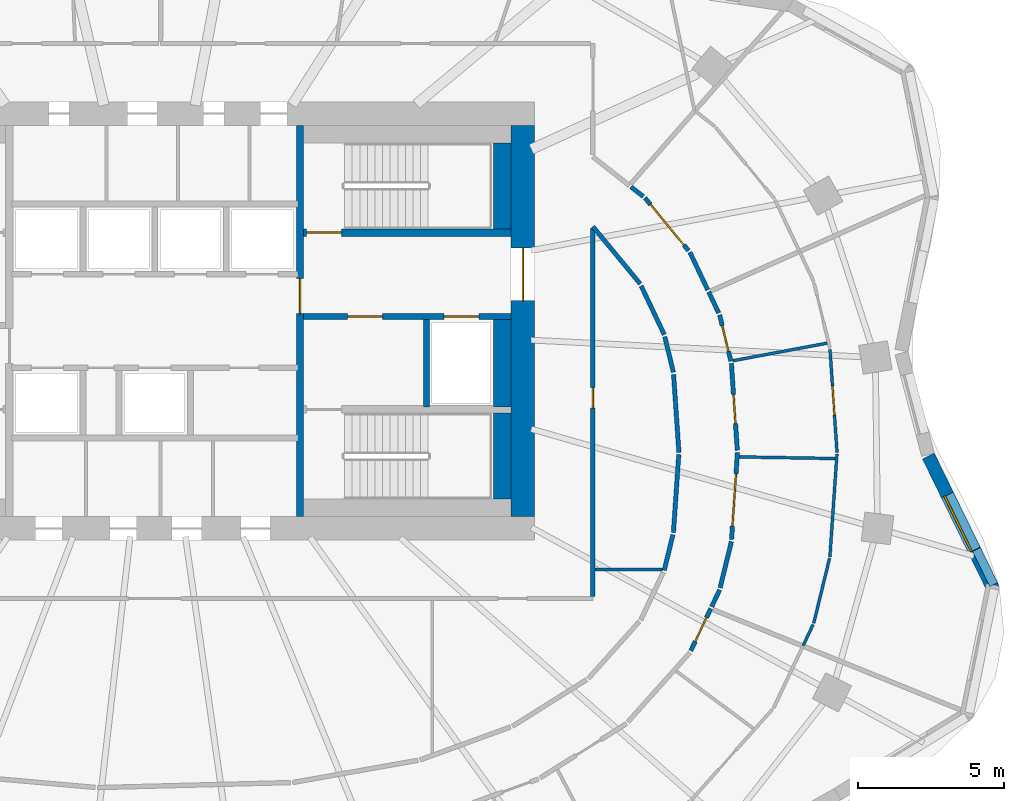
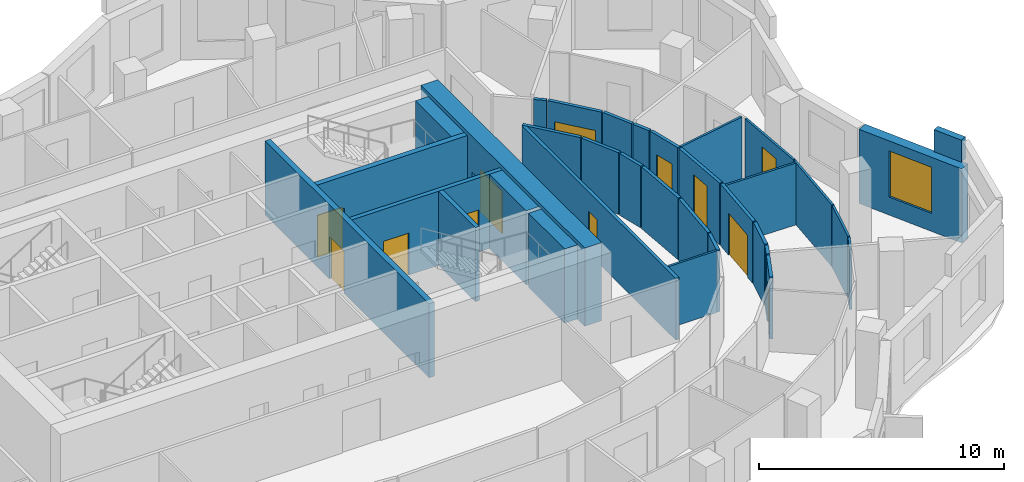
# One storey, part 7 of 11: 34 walls, 12 doors, 1 window, 13 openings.
"""IFC4 building model written with IfcOpenShell, lengths in metres."""

from ifc_helpers import new_model, si_unit, direction, frame, frame_2d, origin, place, context, subcontext, project, spatial, rectangle, extrude, material, layer, layer_set, type_object, element, fill, save


model = new_model("IFC4")

# Units and contexts
model_context = context("Model", 3, precision=1e-05, world=origin(), true_north=direction((0.0, 1.0)))
body_context = subcontext(model_context, "Body", "Model", "MODEL_VIEW")
ifc_project = project(units=[si_unit("LENGTHUNIT", "METRE"), si_unit("AREAUNIT", "SQUARE_METRE"), si_unit("VOLUMEUNIT", "CUBIC_METRE"), si_unit("PLANEANGLEUNIT", "RADIAN"), si_unit("MASSUNIT", "GRAM", prefix="KILO")], contexts=[model_context])

# Site, building, storey
site_placement = place(None, origin())
site = spatial("IfcSite", under=ifc_project, at=site_placement, CompositionType="ELEMENT")
building_placement = place(site_placement, origin())
building = spatial("IfcBuilding", under=site, at=building_placement, Name="Rubra Terraces Tower", CompositionType="ELEMENT")
storey_placement = place(building_placement, frame((0.0, 0.0, 181.800048828125)))
storey = spatial("IfcBuildingStorey", under=building, at=storey_placement, Name="L44", CompositionType="ELEMENT", Elevation=181.800048828125)

# Wall, opening, window
ifc_material_1 = material(Name="Brick masonry red-brown", Category="masonry")
ifc_layer_1 = layer(ifc_material_1, 0.449951171875)
ifc_layer_set_1 = layer_set([ifc_layer_1], Name="Brick masonry red-brown")
wall_type_1 = type_object("IfcWallType", Name="Brick facade wall 450", PredefinedType="SOLIDWALL", material=ifc_layer_set_1)
wall_1_placement = place(storey_placement, frame((28.70703125, -4.672119140625, 0.0), z_axis=(0.0, 0.0, 1.0), x_axis=(-0.439053549989, 0.898460895221, 0.0)))
wall_1 = element("IfcWall", 1, at=wall_1_placement, inside=storey, type_object=wall_type_1, Name="Facade wall L44 bay 40", PredefinedType="SOLIDWALL", context=body_context, shape_type="SweptSolid", body=[
    extrude(rectangle(XDim=5.061767578125, YDim=0.449951171875, at=frame_2d((2.53076171875, 0.0))), origin(), (0.0, 0.0, 1.0), 3.699951171875),
])
opening_1_placement = place(wall_1_placement, frame((1.48095703125, 0.0, 0.89990234375)))
opening_1 = element("IfcOpeningElement", 2, at=opening_1_placement, cuts=wall_1, Name="Opening W1B", PredefinedType="OPENING", context=body_context, shape_type="SweptSolid", body=[
    extrude(rectangle(XDim=2.10009765625, YDim=2.300048828125, at=frame_2d((1.050048828125, 1.14990234375))), frame((0.0, 0.23486328125, 0.0), z_axis=(0.0, -1.0, 0.0), x_axis=(1.0, 0.0, 0.0)), (0.0, 0.0, 1.0), 0.469970703125),
])
ifc_material_2 = material(Name="Clear glass in aluminium frame", Category="aluminium")
window_type = type_object("IfcWindowType", Name="Fixed deep-set window tall storey 2100 x 2300", PartitioningType="SINGLE_PANEL", PredefinedType="WINDOW", material=ifc_material_2)
window_placement = place(opening_1_placement, origin())
window = element("IfcWindow", 3, at=window_placement, inside=storey, type_object=window_type, Name="Window L44 bay 40", OverallHeight=2.300048828125, OverallWidth=2.10009765625, PartitioningType="SINGLE_PANEL", PredefinedType="WINDOW", context=body_context, shape_type="SweptSolid", body=[
    extrude(rectangle(XDim=2.10009765625, YDim=2.300048828125, at=frame_2d((1.050048828125, 1.14990234375))), frame((0.0, 0.135009765625, 0.0), z_axis=(0.0, -1.0, 0.0), x_axis=(1.0, 0.0, 0.0)), (0.0, 0.0, 1.0), 0.06005859375),
])
fill(opening_1, window)

# Wall
ifc_layer_2 = layer(ifc_material_1, 0.300048828125)
ifc_layer_set_2 = layer_set([ifc_layer_2], Name="Brick masonry red-brown")
wall_type_2 = type_object("IfcWallType", Name="Brick parapet 300", PredefinedType="PARAPET", material=ifc_layer_set_2)
wall_2_placement = place(storey_placement, frame((28.719482421875, -4.5263671875, 3.89990234375), z_axis=(0.0, 0.0, 1.0), x_axis=(-0.439122076977, 0.898427404697, 0.0)))
element("IfcWall", 4, at=wall_2_placement, inside=storey, type_object=wall_type_2, Name="Parapet L44 bay 40", PredefinedType="PARAPET", context=body_context, shape_type="SweptSolid", body=[
    extrude(rectangle(XDim=1.3427734375, YDim=0.300048828125, at=frame_2d((0.67138671875, 0.0))), origin(), (0.0, 0.0, 1.0), 1.10009765625),
])

# Wall, opening, door
ifc_material_3 = material(Name="Concrete C50", Category="concrete")
ifc_layer_3 = layer(ifc_material_3, 0.800048828125)
ifc_layer_set_3 = layer_set([ifc_layer_3], Name="Concrete C50")
wall_type_3 = type_object("IfcWallType", Name="CORE WALL 800 C50", PredefinedType="SHEAR", material=ifc_layer_set_3)
wall_3_placement = place(storey_placement, frame((12.60009765625, -2.199951171875, 0.0), z_axis=(0.0, 0.0, 1.0), x_axis=(0.0, 1.0, 0.0)))
wall_3 = element("IfcWall", 5, at=wall_3_placement, inside=storey, type_object=wall_type_3, Name="CORE WALL E L44", PredefinedType="SHEAR", context=body_context, shape_type="SweptSolid", body=[
    extrude(rectangle(XDim=13.39990234375, YDim=0.800048828125, at=frame_2d((6.699951171875, 0.0))), origin(), (0.0, 0.0, 1.0), 3.89990234375),
])
opening_2_placement = place(wall_3_placement, frame((7.39990234375, 0.0, 0.0)))
opening_2 = element("IfcOpeningElement", 6, at=opening_2_placement, cuts=wall_3, Name="Opening L44.C02", PredefinedType="OPENING", context=body_context, shape_type="SweptSolid", body=[
    extrude(rectangle(XDim=1.800048828125, YDim=2.10009765625, at=frame_2d((0.89990234375, 1.050048828125))), frame((0.0, 0.409912109375, 0.0), z_axis=(0.0, -1.0, 0.0), x_axis=(1.0, 0.0, 0.0)), (0.0, 0.0, 1.0), 0.820068359375),
])
ifc_material_4 = material(Name="Painted steel", Category="steel")
door_type_1 = type_object("IfcDoorType", Name="Fire door 1800x2100 double", OperationType="NOTDEFINED", PredefinedType="DOOR", material=ifc_material_4)
door_1_placement = place(opening_2_placement, origin())
door_1 = element("IfcDoor", 7, at=door_1_placement, inside=storey, type_object=door_type_1, Name="Core entrance door FF2", OperationType="DOUBLE_DOOR_SINGLE_SWING", OverallHeight=2.10009765625, OverallWidth=1.800048828125, PredefinedType="DOOR", context=body_context, shape_type="SweptSolid", body=[
    extrude(rectangle(XDim=1.800048828125, YDim=2.10009765625, at=frame_2d((0.89990234375, 1.050048828125))), frame((0.0, 0.02490234375, 0.0), z_axis=(0.0, -1.0, 0.0), x_axis=(1.0, 0.0, 0.0)), (0.0, 0.0, 1.0), 0.050048828125),
])
fill(opening_2, door_1)

ifc_material_5 = material(Name="Plasterboard on steel stud, mineral wool infill", Category="steel")
ifc_layer_4 = layer(ifc_material_5, 0.14990234375)
ifc_layer_set_4 = layer_set([ifc_layer_4], Name="Plasterboard on steel stud, mineral wool infill")
wall_type_4 = type_object("IfcWallType", Name="CORRIDOR PARTITION 150", PredefinedType="PARTITIONING", material=ifc_layer_set_4)
wall_4_placement = place(storey_placement, frame((18.35302734375, -6.78369140625, 0.0), z_axis=(0.0, 0.0, 1.0), x_axis=(0.428125964575, 0.90371907054, 0.0)))
wall_4 = element("IfcWall", 8, at=wall_4_placement, inside=storey, type_object=wall_type_4, Name="PARTITION", PredefinedType="PARTITIONING", context=body_context, shape_type="SweptSolid", body=[
    extrude(rectangle(XDim=1.58935546875, YDim=0.14990234375, at=frame_2d((0.794677734375, 0.0))), origin(), (0.0, 0.0, 1.0), 3.083984375),
])
opening_3_placement = place(wall_4_placement, frame((0.35009765625, 0.0, 0.0)))
opening_3 = element("IfcOpeningElement", 9, at=opening_3_placement, cuts=wall_4, Name="Opening 44-141", PredefinedType="OPENING", context=body_context, shape_type="SweptSolid", body=[
    extrude(rectangle(XDim=0.89990234375, YDim=2.10009765625, at=frame_2d((0.449951171875, 1.050048828125))), frame((0.0, 0.0849609375, 0.0), z_axis=(0.0, -1.0, 0.0), x_axis=(1.0, 0.0, 0.0)), (0.0, 0.0, 1.0), 0.169921875),
])
ifc_material_6 = material(Name="Painted timber door leaf", Category="wood")
door_type_2 = type_object("IfcDoorType", Name="BATHROOM DOOR 900 X 2100", OperationType="SINGLE_SWING_LEFT", PredefinedType="DOOR", material=ifc_material_6)
door_2_placement = place(opening_3_placement, origin())
door_2 = element("IfcDoor", 10, at=door_2_placement, inside=storey, type_object=door_type_2, Name="DOOR 44-141", OperationType="SINGLE_SWING_RIGHT", OverallHeight=2.10009765625, OverallWidth=0.89990234375, PredefinedType="DOOR", context=body_context, shape_type="SweptSolid", body=[
    extrude(rectangle(XDim=0.89990234375, YDim=2.10009765625, at=frame_2d((0.449951171875, 1.050048828125))), frame((0.0, 0.02490234375, 0.0), z_axis=(0.0, -1.0, 0.0), x_axis=(1.0, 0.0, 0.0)), (0.0, 0.0, 1.0), 0.050048828125),
])
fill(opening_3, door_2)

# Walls
wall_5_placement = place(storey_placement, frame((19.0654296875, -5.279541015625, 0.0), z_axis=(0.0, 0.0, 1.0), x_axis=(0.428202003813, 0.903683043954, 0.0)))
element("IfcWall", 11, at=wall_5_placement, inside=storey, type_object=wall_type_4, Name="PARTITION", PredefinedType="PARTITIONING", context=body_context, shape_type="SweptSolid", body=[
    extrude(rectangle(XDim=0.63525390625, YDim=0.14990234375, at=frame_2d((0.317626953125, 0.0))), origin(), (0.0, 0.0, 1.0), 3.083984375),
])
wall_6_placement = place(storey_placement, frame((19.355224609375, -4.6328125, 0.0), z_axis=(0.0, 0.0, 1.0), x_axis=(0.236703930685, 0.971581828359, 0.0)))
element("IfcWall", 12, at=wall_6_placement, inside=storey, type_object=wall_type_4, Name="PARTITION", PredefinedType="PARTITIONING", context=body_context, shape_type="SweptSolid", body=[
    extrude(rectangle(XDim=1.62646484375, YDim=0.14990234375, at=frame_2d((0.813232421875, 0.0))), origin(), (0.0, 0.0, 1.0), 3.083984375),
])

# Wall, opening, door
wall_7_placement = place(storey_placement, frame((19.745361328125, -2.9775390625, 0.0), z_axis=(0.0, 0.0, 1.0), x_axis=(0.068142324, 0.997675610447, 0.0)))
wall_7 = element("IfcWall", 13, at=wall_7_placement, inside=storey, type_object=wall_type_4, Name="PARTITION", PredefinedType="PARTITIONING", context=body_context, shape_type="SweptSolid", body=[
    extrude(rectangle(XDim=2.984375, YDim=0.14990234375, at=frame_2d((1.4921875, 0.0))), origin(), (0.0, 0.0, 1.0), 3.083984375),
])
opening_4_placement = place(wall_7_placement, frame((0.449951171875, 0.0, 0.0)))
opening_4 = element("IfcOpeningElement", 14, at=opening_4_placement, cuts=wall_7, Name="Opening 44-122", PredefinedType="OPENING", context=body_context, shape_type="SweptSolid", body=[
    extrude(rectangle(XDim=1.800048828125, YDim=2.10009765625, at=frame_2d((0.89990234375, 1.050048828125))), frame((0.0, 0.0849609375, 0.0), z_axis=(0.0, -1.0, 0.0), x_axis=(1.0, 0.0, 0.0)), (0.0, 0.0, 1.0), 0.169921875),
])
ifc_material_7 = material(Name="Painted timber door leaf, double", Category="wood")
door_type_3 = type_object("IfcDoorType", Name="ROOM DOUBLE DOOR 1800 X 2100", OperationType="DOUBLE_DOOR_SINGLE_SWING", PredefinedType="DOOR", material=ifc_material_7)
door_3_placement = place(opening_4_placement, origin())
door_3 = element("IfcDoor", 15, at=door_3_placement, inside=storey, type_object=door_type_3, Name="DOOR 44-122", OperationType="DOUBLE_DOOR_SINGLE_SWING", OverallHeight=2.10009765625, OverallWidth=1.800048828125, PredefinedType="DOOR", context=body_context, shape_type="SweptSolid", body=[
    extrude(rectangle(XDim=1.800048828125, YDim=2.10009765625, at=frame_2d((0.89990234375, 1.050048828125))), frame((0.0, 0.02490234375, 0.0), z_axis=(0.0, -1.0, 0.0), x_axis=(1.0, 0.0, 0.0)), (0.0, 0.0, 1.0), 0.050048828125),
])
fill(opening_4, door_3)

wall_8_placement = place(storey_placement, frame((19.943603515625, 0.07470703125, 0.0), z_axis=(0.0, 0.0, 1.0), x_axis=(-0.068136763128, 0.997675990245, 0.0)))
wall_8 = element("IfcWall", 16, at=wall_8_placement, inside=storey, type_object=wall_type_4, Name="PARTITION", PredefinedType="PARTITIONING", context=body_context, shape_type="SweptSolid", body=[
    extrude(rectangle(XDim=2.984619140625, YDim=0.14990234375, at=frame_2d((1.4921875, 0.0))), origin(), (0.0, 0.0, 1.0), 3.083984375),
])
opening_5_placement = place(wall_8_placement, frame((0.9169921875, 0.0, 0.0)))
opening_5 = element("IfcOpeningElement", 17, at=opening_5_placement, cuts=wall_8, Name="Opening 44-123", PredefinedType="OPENING", context=body_context, shape_type="SweptSolid", body=[
    extrude(rectangle(XDim=1.0, YDim=2.39990234375, at=frame_2d((0.5, 1.199951171875))), frame((0.0, 0.0849609375, 0.0), z_axis=(0.0, -1.0, 0.0), x_axis=(1.0, 0.0, 0.0)), (0.0, 0.0, 1.0), 0.169921875),
])
ifc_material_8 = material(Name="Glazed aluminium meeting door leaf", Category="aluminium")
door_type_4 = type_object("IfcDoorType", Name="MEETING ROOM GLAZED DOOR 1000 X 2400", OperationType="SINGLE_SWING_LEFT", PredefinedType="DOOR", material=ifc_material_8)
door_4_placement = place(opening_5_placement, origin())
door_4 = element("IfcDoor", 18, at=door_4_placement, inside=storey, type_object=door_type_4, Name="DOOR 44-123", OperationType="SINGLE_SWING_RIGHT", OverallHeight=2.39990234375, OverallWidth=1.0, PredefinedType="DOOR", context=body_context, shape_type="SweptSolid", body=[
    extrude(rectangle(XDim=1.0, YDim=2.39990234375, at=frame_2d((0.5, 1.199951171875))), frame((0.0, 0.02490234375, 0.0), z_axis=(0.0, -1.0, 0.0), x_axis=(1.0, 0.0, 0.0)), (0.0, 0.0, 1.0), 0.050048828125),
])
fill(opening_5, door_4)

wall_9_placement = place(storey_placement, frame((19.722412109375, 3.125244140625, 0.0), z_axis=(0.0, 0.0, 1.0), x_axis=(-0.236703930685, 0.971581828359, 0.0)))
wall_9 = element("IfcWall", 19, at=wall_9_placement, inside=storey, type_object=wall_type_4, Name="PARTITION", PredefinedType="PARTITIONING", context=body_context, shape_type="SweptSolid", body=[
    extrude(rectangle(XDim=1.62646484375, YDim=0.14990234375, at=frame_2d((0.813232421875, 0.0))), origin(), (0.0, 0.0, 1.0), 3.083984375),
])
opening_6_placement = place(wall_9_placement, frame((0.35009765625, 0.0, 0.0)))
opening_6 = element("IfcOpeningElement", 20, at=opening_6_placement, cuts=wall_9, Name="Opening 44-143", PredefinedType="OPENING", context=body_context, shape_type="SweptSolid", body=[
    extrude(rectangle(XDim=0.89990234375, YDim=2.10009765625, at=frame_2d((0.449951171875, 1.050048828125))), frame((0.0, 0.0849609375, 0.0), z_axis=(0.0, -1.0, 0.0), x_axis=(1.0, 0.0, 0.0)), (0.0, 0.0, 1.0), 0.169921875),
])
door_5_placement = place(opening_6_placement, origin())
door_5 = element("IfcDoor", 21, at=door_5_placement, inside=storey, type_object=door_type_2, Name="DOOR 44-143", OperationType="SINGLE_SWING_RIGHT", OverallHeight=2.10009765625, OverallWidth=0.89990234375, PredefinedType="DOOR", context=body_context, shape_type="SweptSolid", body=[
    extrude(rectangle(XDim=0.89990234375, YDim=2.10009765625, at=frame_2d((0.449951171875, 1.050048828125))), frame((0.0, 0.02490234375, 0.0), z_axis=(0.0, -1.0, 0.0), x_axis=(1.0, 0.0, 0.0)), (0.0, 0.0, 1.0), 0.050048828125),
])
fill(opening_6, door_5)

# Walls
wall_10_placement = place(storey_placement, frame((19.305419921875, 4.7734375, 0.0), z_axis=(0.0, 0.0, 1.0), x_axis=(-0.428296443676, 0.90363828844, 0.0)))
element("IfcWall", 22, at=wall_10_placement, inside=storey, type_object=wall_type_4, Name="PARTITION", PredefinedType="PARTITIONING", context=body_context, shape_type="SweptSolid", body=[
    extrude(rectangle(XDim=0.799072265625, YDim=0.14990234375, at=frame_2d((0.3994140625, 0.0))), origin(), (0.0, 0.0, 1.0), 3.083984375),
])
wall_11_placement = place(storey_placement, frame((18.93115234375, 5.5634765625, 0.0), z_axis=(0.0, 0.0, 1.0), x_axis=(-0.428204145682, 0.903682029046, 0.0)))
element("IfcWall", 23, at=wall_11_placement, inside=storey, type_object=wall_type_4, Name="PARTITION", PredefinedType="PARTITIONING", context=body_context, shape_type="SweptSolid", body=[
    extrude(rectangle(XDim=1.42529296875, YDim=0.14990234375, at=frame_2d((0.712646484375, 0.0))), origin(), (0.0, 0.0, 1.0), 3.083984375),
])

# Wall, opening, door
wall_12_placement = place(storey_placement, frame((18.273193359375, 6.9091796875, 0.0), z_axis=(0.0, 0.0, 1.0), x_axis=(-0.63653648943, 0.771246586783, 0.0)))
wall_12 = element("IfcWall", 24, at=wall_12_placement, inside=storey, type_object=wall_type_4, Name="PARTITION", PredefinedType="PARTITIONING", context=body_context, shape_type="SweptSolid", body=[
    extrude(rectangle(XDim=2.341552734375, YDim=0.14990234375, at=frame_2d((1.1708984375, 0.0))), origin(), (0.0, 0.0, 1.0), 3.083984375),
])
opening_7_placement = place(wall_12_placement, frame((0.25, 0.0, 0.0)))
opening_7 = element("IfcOpeningElement", 25, at=opening_7_placement, cuts=wall_12, Name="Opening 44-125", PredefinedType="OPENING", context=body_context, shape_type="SweptSolid", body=[
    extrude(rectangle(XDim=1.800048828125, YDim=2.10009765625, at=frame_2d((0.89990234375, 1.050048828125))), frame((0.0, 0.0849609375, 0.0), z_axis=(0.0, -1.0, 0.0), x_axis=(1.0, 0.0, 0.0)), (0.0, 0.0, 1.0), 0.169921875),
])
door_6_placement = place(opening_7_placement, origin())
door_6 = element("IfcDoor", 26, at=door_6_placement, inside=storey, type_object=door_type_3, Name="DOOR 44-125", OperationType="DOUBLE_DOOR_SINGLE_SWING", OverallHeight=2.10009765625, OverallWidth=1.800048828125, PredefinedType="DOOR", context=body_context, shape_type="SweptSolid", body=[
    extrude(rectangle(XDim=1.800048828125, YDim=2.10009765625, at=frame_2d((0.89990234375, 1.050048828125))), frame((0.0, 0.02490234375, 0.0), z_axis=(0.0, -1.0, 0.0), x_axis=(1.0, 0.0, 0.0)), (0.0, 0.0, 1.0), 0.050048828125),
])
fill(opening_7, door_6)

# Walls
wall_13_placement = place(storey_placement, frame((16.723876953125, 8.761474609375, 0.0), z_axis=(0.0, 0.0, 1.0), x_axis=(-0.785093642841, 0.619377083827, 0.0)))
element("IfcWall", 27, at=wall_13_placement, inside=storey, type_object=wall_type_4, Name="PARTITION", PredefinedType="PARTITIONING", context=body_context, shape_type="SweptSolid", body=[
    extrude(rectangle(XDim=0.533203125, YDim=0.14990234375, at=frame_2d((0.2666015625, 0.0))), origin(), (0.0, 0.0, 1.0), 3.083984375),
])
wall_14_placement = place(storey_placement, frame((15.0, 7.73291015625, 0.0), z_axis=(0.0, 0.0, 1.0), x_axis=(0.636601263488, -0.771193121938, 0.0)))
element("IfcWall", 28, at=wall_14_placement, inside=storey, type_object=wall_type_4, Name="PARTITION", PredefinedType="PARTITIONING", context=body_context, shape_type="SweptSolid", body=[
    extrude(rectangle(XDim=2.544921875, YDim=0.14990234375, at=frame_2d((1.2724609375, 0.0))), origin(), (0.0, 0.0, 1.0), 3.083984375),
])
wall_15_placement = place(storey_placement, frame((16.652099609375, 5.702392578125, 0.0), z_axis=(0.0, 0.0, 1.0), x_axis=(0.428126129773, -0.903718992279, 0.0)))
element("IfcWall", 29, at=wall_15_placement, inside=storey, type_object=wall_type_4, Name="PARTITION", PredefinedType="PARTITIONING", context=body_context, shape_type="SweptSolid", body=[
    extrude(rectangle(XDim=1.846435546875, YDim=0.14990234375, at=frame_2d((0.92333984375, 0.0))), origin(), (0.0, 0.0, 1.0), 3.083984375),
])
wall_16_placement = place(storey_placement, frame((17.46044921875, 3.9609375, 0.0), z_axis=(0.0, 0.0, 1.0), x_axis=(0.236655249498, -0.971593687137, 0.0)))
element("IfcWall", 30, at=wall_16_placement, inside=storey, type_object=wall_type_4, Name="PARTITION", PredefinedType="PARTITIONING", context=body_context, shape_type="SweptSolid", body=[
    extrude(rectangle(XDim=1.25146484375, YDim=0.14990234375, at=frame_2d((0.625732421875, 0.0))), origin(), (0.0, 0.0, 1.0), 3.083984375),
])
wall_17_placement = place(storey_placement, frame((17.76171875, 2.67041015625, 0.0), z_axis=(0.0, 0.0, 1.0), x_axis=(0.068135311644, -0.997676089373, 0.0)))
element("IfcWall", 31, at=wall_17_placement, inside=storey, type_object=wall_type_4, Name="PARTITION", PredefinedType="PARTITIONING", context=body_context, shape_type="SweptSolid", body=[
    extrude(rectangle(XDim=2.676513671875, YDim=0.14990234375, at=frame_2d((1.33837890625, 0.0))), origin(), (0.0, 0.0, 1.0), 3.083984375),
])
wall_18_placement = place(storey_placement, frame((17.939208984375, -0.07470703125, 0.0), z_axis=(0.0, 0.0, 1.0), x_axis=(-0.068226099283, -0.99766988497, 0.0)))
element("IfcWall", 32, at=wall_18_placement, inside=storey, type_object=wall_type_4, Name="PARTITION", PredefinedType="PARTITIONING", context=body_context, shape_type="SweptSolid", body=[
    extrude(rectangle(XDim=2.6767578125, YDim=0.14990234375, at=frame_2d((1.33837890625, 0.0))), origin(), (0.0, 0.0, 1.0), 3.083984375),
])
wall_19_placement = place(storey_placement, frame((17.739013671875, -2.818115234375, 0.0), z_axis=(0.0, 0.0, 1.0), x_axis=(-0.236884307907, -0.971537865792, 0.0)))
element("IfcWall", 33, at=wall_19_placement, inside=storey, type_object=wall_type_4, Name="PARTITION", PredefinedType="PARTITIONING", context=body_context, shape_type="SweptSolid", body=[
    extrude(rectangle(XDim=1.251220703125, YDim=0.14990234375, at=frame_2d((0.62548828125, 0.0))), origin(), (0.0, 0.0, 1.0), 3.083984375),
])

# Wall, opening, door
wall_20_placement = place(storey_placement, frame((15.0, -4.925048828125, 0.0), z_axis=(0.0, 0.0, 1.0), x_axis=(0.0, 1.0, 0.0)))
wall_20 = element("IfcWall", 34, at=wall_20_placement, inside=storey, type_object=wall_type_4, Name="PARTITION", PredefinedType="PARTITIONING", context=body_context, shape_type="SweptSolid", body=[
    extrude(rectangle(XDim=12.5830078125, YDim=0.14990234375, at=frame_2d((6.29150390625, 0.0))), origin(), (0.0, 0.0, 1.0), 3.083984375),
])
opening_8_placement = place(wall_20_placement, frame((6.44091796875, 0.0, 0.0)))
opening_8 = element("IfcOpeningElement", 35, at=opening_8_placement, cuts=wall_20, Name="Opening 44-131", PredefinedType="OPENING", context=body_context, shape_type="SweptSolid", body=[
    extrude(rectangle(XDim=0.699951171875, YDim=2.10009765625, at=frame_2d((0.35009765625, 1.050048828125))), frame((0.0, 0.0849609375, 0.0), z_axis=(0.0, -1.0, 0.0), x_axis=(1.0, 0.0, 0.0)), (0.0, 0.0, 1.0), 0.169921875),
])
door_type_5 = type_object("IfcDoorType", Name="STORE DOOR 700 X 2100", OperationType="SINGLE_SWING_LEFT", PredefinedType="DOOR", material=ifc_material_6)
door_7_placement = place(opening_8_placement, origin())
door_7 = element("IfcDoor", 36, at=door_7_placement, inside=storey, type_object=door_type_5, Name="DOOR 44-131", OperationType="SINGLE_SWING_RIGHT", OverallHeight=2.10009765625, OverallWidth=0.699951171875, PredefinedType="DOOR", context=body_context, shape_type="SweptSolid", body=[
    extrude(rectangle(XDim=0.699951171875, YDim=2.10009765625, at=frame_2d((0.35009765625, 1.050048828125))), frame((0.0, 0.02490234375, 0.0), z_axis=(0.0, -1.0, 0.0), x_axis=(1.0, 0.0, 0.0)), (0.0, 0.0, 1.0), 0.050048828125),
])
fill(opening_8, door_7)

# Walls
ifc_material_9 = material(Name="Concrete C40", Category="concrete")
ifc_layer_5 = layer(ifc_material_9, 0.60009765625)
ifc_layer_set_5 = layer_set([ifc_layer_5], Name="Concrete C40")
wall_type_5 = type_object("IfcWallType", Name="Core lining wall 600 concrete", PredefinedType="SOLIDWALL", material=ifc_layer_set_5)
wall_21_placement = place(storey_placement, frame((11.89990234375, 10.60009765625, 0.0), z_axis=(0.0, 0.0, 1.0), x_axis=(0.0, -1.0, 0.0)))
element("IfcWall", 37, at=wall_21_placement, inside=storey, type_object=wall_type_5, Name="CORE LINING WALL L44", PredefinedType="SOLIDWALL", context=body_context, shape_type="SweptSolid", body=[
    extrude(rectangle(XDim=2.9501953125, YDim=0.60009765625, at=frame_2d((1.47509765625, 0.0))), origin(), (0.0, 0.0, 1.0), 3.699951171875),
])
wall_22_placement = place(storey_placement, frame((11.89990234375, 4.550048828125, 0.0), z_axis=(0.0, 0.0, 1.0), x_axis=(0.0, -1.0, 0.0)))
element("IfcWall", 38, at=wall_22_placement, inside=storey, type_object=wall_type_5, Name="CORE LINING WALL L44", PredefinedType="SOLIDWALL", context=body_context, shape_type="SweptSolid", body=[
    extrude(rectangle(XDim=3.0, YDim=0.60009765625, at=frame_2d((1.5, 0.0))), origin(), (0.0, 0.0, 1.0), 3.699951171875),
])
wall_23_placement = place(storey_placement, frame((11.89990234375, 1.35009765625, 0.0), z_axis=(0.0, 0.0, 1.0), x_axis=(0.0, -1.0, 0.0)))
element("IfcWall", 39, at=wall_23_placement, inside=storey, type_object=wall_type_5, Name="CORE LINING WALL L44", PredefinedType="SOLIDWALL", context=body_context, shape_type="SweptSolid", body=[
    extrude(rectangle(XDim=2.9501953125, YDim=0.60009765625, at=frame_2d((1.47509765625, 0.0))), origin(), (0.0, 0.0, 1.0), 3.699951171875),
])

# Wall, openings, doors
ifc_material_10 = material(Name="Concrete C30", Category="concrete")
ifc_layer_6 = layer(ifc_material_10, 0.199951171875)
ifc_layer_set_6 = layer_set([ifc_layer_6], Name="Concrete C30")
wall_type_6 = type_object("IfcWallType", Name="Core wall 200 concrete", PredefinedType="SOLIDWALL", material=ifc_layer_set_6)
wall_24_placement = place(storey_placement, frame((12.199951171875, 4.64990234375, 0.0), z_axis=(0.0, 0.0, 1.0), x_axis=(-1.0, 0.0, 0.0)))
wall_24 = element("IfcWall", 40, at=wall_24_placement, inside=storey, type_object=wall_type_6, Name="STAIR WALL L44", PredefinedType="SOLIDWALL", context=body_context, shape_type="SweptSolid", body=[
    extrude(rectangle(XDim=7.099853515625, YDim=0.199951171875, at=frame_2d((3.5498046875, 0.0))), origin(), (0.0, 0.0, 1.0), 3.699951171875),
])
opening_9_placement = place(wall_24_placement, frame((4.39990234375, 0.0, 0.0)))
opening_9 = element("IfcOpeningElement", 41, at=opening_9_placement, cuts=wall_24, Name="Opening L44.C06", PredefinedType="OPENING", context=body_context, shape_type="SweptSolid", body=[
    extrude(rectangle(XDim=1.199951171875, YDim=2.10009765625, at=frame_2d((0.60009765625, 1.050048828125))), frame((0.0, 0.10986328125, 0.0), z_axis=(0.0, -1.0, 0.0), x_axis=(1.0, 0.0, 0.0)), (0.0, 0.0, 1.0), 0.219970703125),
])
opening_10_placement = place(wall_24_placement, frame((1.10009765625, 0.0, 0.0)))
opening_10 = element("IfcOpeningElement", 42, at=opening_10_placement, cuts=wall_24, Name="Opening L44.C12", PredefinedType="OPENING", context=body_context, shape_type="SweptSolid", body=[
    extrude(rectangle(XDim=1.199951171875, YDim=2.10009765625, at=frame_2d((0.60009765625, 1.050048828125))), frame((0.0, 0.10986328125, 0.0), z_axis=(0.0, -1.0, 0.0), x_axis=(1.0, 0.0, 0.0)), (0.0, 0.0, 1.0), 0.219970703125),
])
door_type_6 = type_object("IfcDoorType", Name="Fire door 1200x2100 single", OperationType="NOTDEFINED", PredefinedType="DOOR", material=ifc_material_4)
door_8_placement = place(opening_9_placement, origin())
door_8 = element("IfcDoor", 43, at=door_8_placement, inside=storey, type_object=door_type_6, Name="Stair vestibule door S4", OperationType="SINGLE_SWING_RIGHT", OverallHeight=2.10009765625, OverallWidth=1.199951171875, PredefinedType="DOOR", context=body_context, shape_type="SweptSolid", body=[
    extrude(rectangle(XDim=1.199951171875, YDim=2.10009765625, at=frame_2d((0.60009765625, 1.050048828125))), frame((0.0, 0.02490234375, 0.0), z_axis=(0.0, -1.0, 0.0), x_axis=(1.0, 0.0, 0.0)), (0.0, 0.0, 1.0), 0.050048828125),
])
fill(opening_9, door_8)
ifc_material_11 = material(Name="Stainless steel", Category="steel")
door_type_7 = type_object("IfcDoorType", Name="Lift landing door 1200x2100", OperationType="NOTDEFINED", PredefinedType="DOOR", material=ifc_material_11)
door_9_placement = place(opening_10_placement, origin())
door_9 = element("IfcDoor", 44, at=door_9_placement, inside=storey, type_object=door_type_7, Name="Landing door FF2", OperationType="SLIDING_TO_RIGHT", OverallHeight=2.10009765625, OverallWidth=1.199951171875, PredefinedType="DOOR", context=body_context, shape_type="SweptSolid", body=[
    extrude(rectangle(XDim=1.199951171875, YDim=2.10009765625, at=frame_2d((0.60009765625, 1.050048828125))), frame((0.0, 0.02490234375, 0.0), z_axis=(0.0, -1.0, 0.0), x_axis=(1.0, 0.0, 0.0)), (0.0, 0.0, 1.0), 0.050048828125),
])
fill(opening_10, door_9)

# Wall
wall_25_placement = place(storey_placement, frame((9.300048828125, 4.550048828125, 0.0), z_axis=(0.0, 0.0, 1.0), x_axis=(0.0, -1.0, 0.0)))
element("IfcWall", 45, at=wall_25_placement, inside=storey, type_object=wall_type_6, Name="STAIR WALL L44", PredefinedType="SOLIDWALL", context=body_context, shape_type="SweptSolid", body=[
    extrude(rectangle(XDim=3.0, YDim=0.199951171875, at=frame_2d((1.5, 0.0))), origin(), (0.0, 0.0, 1.0), 3.699951171875),
])

# Wall, opening, door
ifc_material_12 = material(Name="Plasterboard on steel stud", Category="steel")
ifc_layer_7 = layer(ifc_material_12, 0.10009765625)
ifc_layer_set_7 = layer_set([ifc_layer_7], Name="Plasterboard on steel stud")
wall_type_7 = type_object("IfcWallType", Name="ROOM PARTITION 100", PredefinedType="PARTITIONING", material=ifc_layer_set_7)
wall_26_placement = place(storey_placement, frame((23.115966796875, 3.524658203125, 0.0), z_axis=(0.0, 0.0, 1.0), x_axis=(0.068138009452, -0.997675905125, 0.0)))
wall_26 = element("IfcWall", 46, at=wall_26_placement, inside=storey, type_object=wall_type_7, Name="PARTITION", PredefinedType="PARTITIONING", context=body_context, shape_type="SweptSolid", body=[
    extrude(rectangle(XDim=3.532958984375, YDim=0.10009765625, at=frame_2d((1.7666015625, 0.0))), origin(), (0.0, 0.0, 1.0), 3.083984375),
])
opening_11_placement = place(wall_26_placement, frame((1.25, 0.0, 0.0)))
opening_11 = element("IfcOpeningElement", 47, at=opening_11_placement, cuts=wall_26, Name="Opening 44-142", PredefinedType="OPENING", context=body_context, shape_type="SweptSolid", body=[
    extrude(rectangle(XDim=1.0, YDim=2.39990234375, at=frame_2d((0.5, 1.199951171875))), frame((0.0, 0.06005859375, 0.0), z_axis=(0.0, -1.0, 0.0), x_axis=(1.0, 0.0, 0.0)), (0.0, 0.0, 1.0), 0.1201171875),
])
door_10_placement = place(opening_11_placement, origin())
door_10 = element("IfcDoor", 48, at=door_10_placement, inside=storey, type_object=door_type_4, Name="DOOR 44-142", OperationType="SINGLE_SWING_LEFT", OverallHeight=2.39990234375, OverallWidth=1.0, PredefinedType="DOOR", context=body_context, shape_type="SweptSolid", body=[
    extrude(rectangle(XDim=1.0, YDim=2.39990234375, at=frame_2d((0.5, 1.199951171875))), frame((0.0, 0.02490234375, 0.0), z_axis=(0.0, -1.0, 0.0), x_axis=(1.0, 0.0, 0.0)), (0.0, 0.0, 1.0), 0.050048828125),
])
fill(opening_11, door_10)

# Walls
wall_27_placement = place(storey_placement, frame((23.353515625, -0.0498046875, 0.0), z_axis=(0.0, 0.0, 1.0), x_axis=(-0.06820679361, -0.99767120501, 0.0)))
element("IfcWall", 49, at=wall_27_placement, inside=storey, type_object=wall_type_7, Name="PARTITION", PredefinedType="PARTITIONING", context=body_context, shape_type="SweptSolid", body=[
    extrude(rectangle(XDim=3.532958984375, YDim=0.10009765625, at=frame_2d((1.7666015625, 0.0))), origin(), (0.0, 0.0, 1.0), 3.083984375),
])
wall_28_placement = place(storey_placement, frame((23.100830078125, -3.623046875, 0.0), z_axis=(0.0, 0.0, 1.0), x_axis=(-0.236811358433, -0.971555649727, 0.0)))
element("IfcWall", 50, at=wall_28_placement, inside=storey, type_object=wall_type_7, Name="PARTITION", PredefinedType="PARTITIONING", context=body_context, shape_type="SweptSolid", body=[
    extrude(rectangle(XDim=2.289794921875, YDim=0.10009765625, at=frame_2d((1.14501953125, 0.0))), origin(), (0.0, 0.0, 1.0), 3.083984375),
])
wall_29_placement = place(storey_placement, frame((22.537109375, -5.892822265625, 0.0), z_axis=(0.0, 0.0, 1.0), x_axis=(-0.427993557618, -0.903781784856, 0.0)))
element("IfcWall", 51, at=wall_29_placement, inside=storey, type_object=wall_type_7, Name="PARTITION", PredefinedType="PARTITIONING", context=body_context, shape_type="SweptSolid", body=[
    extrude(rectangle(XDim=0.791748046875, YDim=0.10009765625, at=frame_2d((0.39599609375, 0.0))), origin(), (0.0, 0.0, 1.0), 3.083984375),
])
wall_30_placement = place(storey_placement, frame((20.013427734375, -0.15283203125, 0.0), z_axis=(0.0, 0.0, 1.0), x_axis=(0.999854678593, -0.017047630214, 0.0)))
element("IfcWall", 52, at=wall_30_placement, inside=storey, type_object=wall_type_7, Name="PARTITION", PredefinedType="PARTITIONING", context=body_context, shape_type="SweptSolid", body=[
    extrude(rectangle(XDim=3.279541015625, YDim=0.10009765625, at=frame_2d((1.6396484375, 0.0))), origin(), (0.0, 0.0, 1.0), 3.083984375),
])
wall_31_placement = place(storey_placement, frame((19.796142578125, 3.139892578125, 0.0), z_axis=(0.0, 0.0, 1.0), x_axis=(0.983010938824, 0.183546980778, 0.0)))
element("IfcWall", 53, at=wall_31_placement, inside=storey, type_object=wall_type_7, Name="PARTITION", PredefinedType="PARTITIONING", context=body_context, shape_type="SweptSolid", body=[
    extrude(rectangle(XDim=3.280029296875, YDim=0.10009765625, at=frame_2d((1.64013671875, 0.0))), origin(), (0.0, 0.0, 1.0), 3.083984375),
])
wall_32_placement = place(storey_placement, frame((15.074951171875, -4.0, 0.0), z_axis=(0.0, 0.0, 1.0), x_axis=(1.0, 0.0, 0.0)))
element("IfcWall", 54, at=wall_32_placement, inside=storey, type_object=wall_type_7, Name="PARTITION", PredefinedType="PARTITIONING", context=body_context, shape_type="SweptSolid", body=[
    extrude(rectangle(XDim=2.30078125, YDim=0.10009765625, at=frame_2d((1.150390625, 0.0))), origin(), (0.0, 0.0, 1.0), 3.083984375),
])

# Wall, opening, door
ifc_layer_8 = layer(ifc_material_9, 0.25)
ifc_layer_set_8 = layer_set([ifc_layer_8], Name="Concrete C40")
wall_type_8 = type_object("IfcWallType", Name="Stair enclosure wall 250 concrete", PredefinedType="SOLIDWALL", material=ifc_layer_set_8)
wall_33_placement = place(storey_placement, frame((12.199951171875, 7.52490234375, 0.0), z_axis=(0.0, 0.0, 1.0), x_axis=(-1.0, 0.0, 0.0)))
wall_33 = element("IfcWall", 55, at=wall_33_placement, inside=storey, type_object=wall_type_8, Name="STAIR WALL L44", PredefinedType="SOLIDWALL", context=body_context, shape_type="SweptSolid", body=[
    extrude(rectangle(XDim=7.099853515625, YDim=0.25, at=frame_2d((3.5498046875, 0.0))), origin(), (0.0, 0.0, 1.0), 3.699951171875),
])
opening_12_placement = place(wall_33_placement, frame((5.800048828125, 0.0, 0.0)))
opening_12 = element("IfcOpeningElement", 56, at=opening_12_placement, cuts=wall_33, Name="Opening L44.C08", PredefinedType="OPENING", context=body_context, shape_type="SweptSolid", body=[
    extrude(rectangle(XDim=1.199951171875, YDim=2.10009765625, at=frame_2d((0.60009765625, 1.050048828125))), frame((0.0, 0.135009765625, 0.0), z_axis=(0.0, -1.0, 0.0), x_axis=(1.0, 0.0, 0.0)), (0.0, 0.0, 1.0), 0.27001953125),
])
door_11_placement = place(opening_12_placement, origin())
door_11 = element("IfcDoor", 57, at=door_11_placement, inside=storey, type_object=door_type_6, Name="Stair door S3", OperationType="SINGLE_SWING_RIGHT", OverallHeight=2.10009765625, OverallWidth=1.199951171875, PredefinedType="DOOR", context=body_context, shape_type="SweptSolid", body=[
    extrude(rectangle(XDim=1.199951171875, YDim=2.10009765625, at=frame_2d((0.60009765625, 1.050048828125))), frame((0.0, 0.02490234375, 0.0), z_axis=(0.0, -1.0, 0.0), x_axis=(1.0, 0.0, 0.0)), (0.0, 0.0, 1.0), 0.050048828125),
])
fill(opening_12, door_11)

wall_34_placement = place(storey_placement, frame((4.97509765625, 11.199951171875, 0.0), z_axis=(0.0, 0.0, 1.0), x_axis=(0.0, -1.0, 0.0)))
wall_34 = element("IfcWall", 58, at=wall_34_placement, inside=storey, type_object=wall_type_8, Name="CORE LOBBY WALL L44", PredefinedType="SOLIDWALL", context=body_context, shape_type="SweptSolid", body=[
    extrude(rectangle(XDim=13.39990234375, YDim=0.25, at=frame_2d((6.699951171875, 0.0))), origin(), (0.0, 0.0, 1.0), 3.699951171875),
])
opening_13_placement = place(wall_34_placement, frame((5.25, 0.0, 0.0)))
opening_13 = element("IfcOpeningElement", 59, at=opening_13_placement, cuts=wall_34, Name="Opening L44.C04", PredefinedType="OPENING", context=body_context, shape_type="SweptSolid", body=[
    extrude(rectangle(XDim=1.199951171875, YDim=2.10009765625, at=frame_2d((0.60009765625, 1.050048828125))), frame((0.0, 0.135009765625, 0.0), z_axis=(0.0, -1.0, 0.0), x_axis=(1.0, 0.0, 0.0)), (0.0, 0.0, 1.0), 0.27001953125),
])
door_12_placement = place(opening_13_placement, origin())
door_12 = element("IfcDoor", 60, at=door_12_placement, inside=storey, type_object=door_type_6, Name="Firefighting lobby door FF2", OperationType="SINGLE_SWING_RIGHT", OverallHeight=2.10009765625, OverallWidth=1.199951171875, PredefinedType="DOOR", context=body_context, shape_type="SweptSolid", body=[
    extrude(rectangle(XDim=1.199951171875, YDim=2.10009765625, at=frame_2d((0.60009765625, 1.050048828125))), frame((0.0, 0.02490234375, 0.0), z_axis=(0.0, -1.0, 0.0), x_axis=(1.0, 0.0, 0.0)), (0.0, 0.0, 1.0), 0.050048828125),
])
fill(opening_13, door_12)

save(model, "model.ifc")
